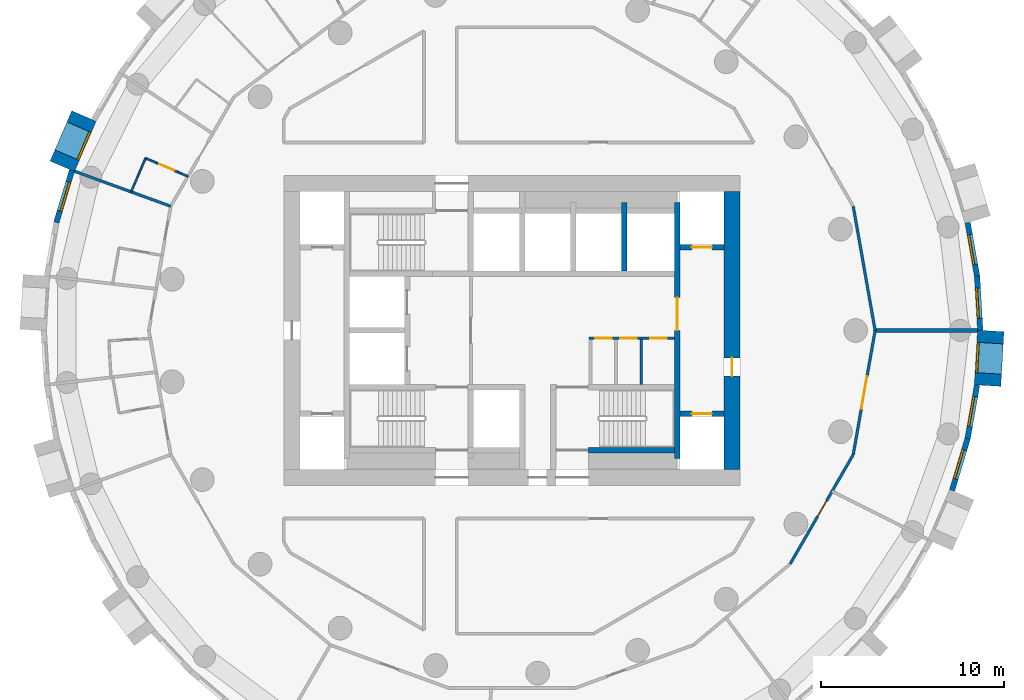
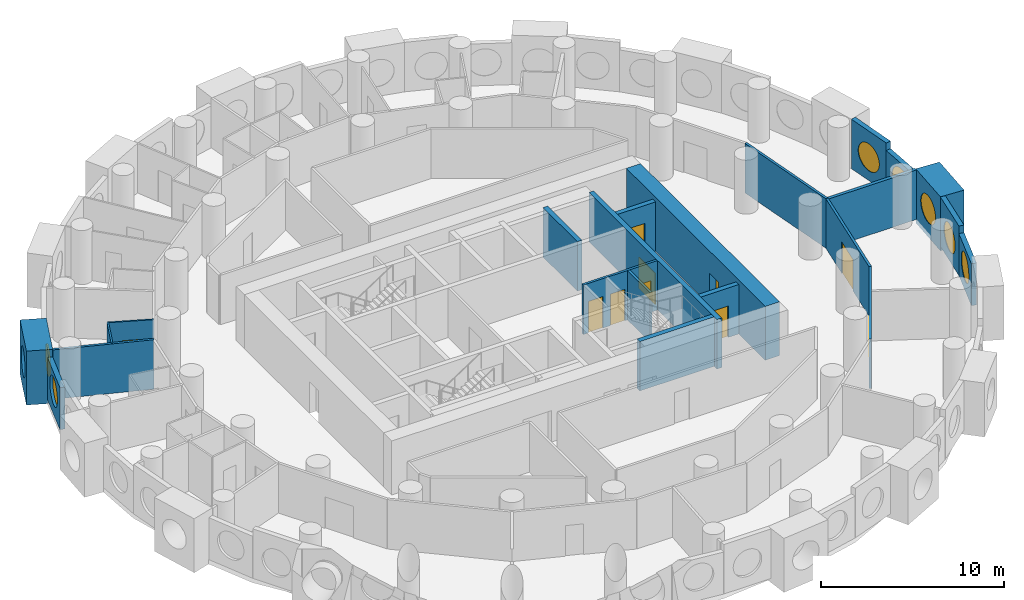
# One storey, part 5 of 10: 22 walls, 10 doors, 7 windows, 17 openings.
"""IFC4 building model written with IfcOpenShell, lengths in metres."""

from ifc_helpers import new_model, si_unit, direction, frame, frame_2d, origin, origin_2d, place, context, subcontext, project, spatial, rectangle, circle, extrude, material, layer, layer_set, type_object, element, fill, save


model = new_model("IFC4")

# Units and contexts
model_context = context("Model", 3, precision=1e-05, world=origin(), true_north=direction((0.0, 1.0)))
body_context = subcontext(model_context, "Body", "Model", "MODEL_VIEW")
ifc_project = project(units=[si_unit("LENGTHUNIT", "METRE"), si_unit("AREAUNIT", "SQUARE_METRE"), si_unit("VOLUMEUNIT", "CUBIC_METRE"), si_unit("PLANEANGLEUNIT", "RADIAN"), si_unit("MASSUNIT", "GRAM", prefix="KILO")], contexts=[model_context])

# Site, building, storey
site_placement = place(None, origin())
site = spatial("IfcSite", under=ifc_project, at=site_placement, CompositionType="ELEMENT")
building_placement = place(site_placement, origin())
building = spatial("IfcBuilding", under=site, at=building_placement, Name="Tracery Tower", CompositionType="ELEMENT")
storey_placement = place(building_placement, frame((0.0, 0.0, 136.800048828125)))
storey = spatial("IfcBuildingStorey", under=building, at=storey_placement, Name="L34", CompositionType="ELEMENT", Elevation=136.800048828125)

# Wall, openings, doors
ifc_material_1 = material(Name="Plasterboard on steel studs", Category="steel")
ifc_layer_1 = layer(ifc_material_1, 0.14990234375)
ifc_layer_set_1 = layer_set([ifc_layer_1], Name="Core room partition 150")
wall_type_1 = type_object("IfcWallType", Name="Core room partition 150", PredefinedType="SOLIDWALL", material=ifc_layer_set_1)
wall_1_placement = place(storey_placement, frame((4.22509765625, -0.425048828125, 0.0), z_axis=(0.0, 0.0, 1.0), x_axis=(1.0, 0.0, 0.0)))
wall_1 = element("IfcWall", 1, at=wall_1_placement, inside=storey, type_object=wall_type_1, Name="L34 slot N", PredefinedType="SOLIDWALL", context=body_context, shape_type="SweptSolid", body=[
    extrude(rectangle(XDim=4.6748046875, YDim=0.14990234375, at=frame_2d((2.33740234375, 0.0))), origin(), (0.0, 0.0, 1.0), 3.300048828125),
])
opening_1_placement = place(wall_1_placement, frame((0.324951171875, 0.0, 0.0)))
opening_1 = element("IfcOpeningElement", 2, at=opening_1_placement, cuts=wall_1, Name="Opening KD27", PredefinedType="OPENING", context=body_context, shape_type="SweptSolid", body=[
    extrude(rectangle(XDim=0.89990234375, YDim=2.10009765625, at=frame_2d((0.449951171875, 1.050048828125))), frame((0.0, 0.074951171875, 0.0), z_axis=(0.0, -1.0, 0.0), x_axis=(1.0, 0.0, 0.0)), (0.0, 0.0, 1.0), 0.14990234375),
])
opening_2_placement = place(wall_1_placement, frame((1.71240234375, 0.0, 0.0)))
opening_2 = element("IfcOpeningElement", 3, at=opening_2_placement, cuts=wall_1, Name="Opening KD26", PredefinedType="OPENING", context=body_context, shape_type="SweptSolid", body=[
    extrude(rectangle(XDim=0.89990234375, YDim=2.10009765625, at=frame_2d((0.449951171875, 1.050048828125))), frame((0.0, 0.074951171875, 0.0), z_axis=(0.0, -1.0, 0.0), x_axis=(1.0, 0.0, 0.0)), (0.0, 0.0, 1.0), 0.14990234375),
])
opening_3_placement = place(wall_1_placement, frame((3.35009765625, 0.0, 0.0)))
opening_3 = element("IfcOpeningElement", 4, at=opening_3_placement, cuts=wall_1, Name="Opening KD22", PredefinedType="OPENING", context=body_context, shape_type="SweptSolid", body=[
    extrude(rectangle(XDim=0.89990234375, YDim=2.10009765625, at=frame_2d((0.449951171875, 1.050048828125))), frame((0.0, 0.074951171875, 0.0), z_axis=(0.0, -1.0, 0.0), x_axis=(1.0, 0.0, 0.0)), (0.0, 0.0, 1.0), 0.14990234375),
])
ifc_material_2 = material(Name="Timber door leaf", Category="wood")
door_type_1 = type_object("IfcDoorType", Name="Core WC door 900", OperationType="NOTDEFINED", PredefinedType="DOOR", material=ifc_material_2)
door_1_placement = place(opening_3_placement, origin())
door_1 = element("IfcDoor", 5, at=door_1_placement, inside=storey, type_object=door_type_1, Name="Core door", OperationType="SINGLE_SWING_RIGHT", OverallHeight=2.10009765625, OverallWidth=0.89990234375, PredefinedType="DOOR", context=body_context, shape_type="SweptSolid", body=[
    extrude(rectangle(XDim=0.89990234375, YDim=2.10009765625, at=frame_2d((0.449951171875, 1.050048828125))), frame((0.0, 0.02490234375, 0.0), z_axis=(0.0, -1.0, 0.0), x_axis=(1.0, 0.0, 0.0)), (0.0, 0.0, 1.0), 0.050048828125),
])
fill(opening_3, door_1)
ifc_material_3 = material(Name="Timber door leaf", Category="wood")
door_type_2 = type_object("IfcDoorType", Name="Core store door 900", OperationType="NOTDEFINED", PredefinedType="DOOR", material=ifc_material_3)
door_2_placement = place(opening_1_placement, origin())
door_2 = element("IfcDoor", 6, at=door_2_placement, inside=storey, type_object=door_type_2, Name="Core door", OperationType="SINGLE_SWING_RIGHT", OverallHeight=2.10009765625, OverallWidth=0.89990234375, PredefinedType="DOOR", context=body_context, shape_type="SweptSolid", body=[
    extrude(rectangle(XDim=0.89990234375, YDim=2.10009765625, at=frame_2d((0.449951171875, 1.050048828125))), frame((0.0, 0.02490234375, 0.0), z_axis=(0.0, -1.0, 0.0), x_axis=(1.0, 0.0, 0.0)), (0.0, 0.0, 1.0), 0.050048828125),
])
fill(opening_1, door_2)
door_3_placement = place(opening_2_placement, origin())
door_3 = element("IfcDoor", 7, at=door_3_placement, inside=storey, type_object=door_type_2, Name="Core door", OperationType="SINGLE_SWING_LEFT", OverallHeight=2.10009765625, OverallWidth=0.89990234375, PredefinedType="DOOR", context=body_context, shape_type="SweptSolid", body=[
    extrude(rectangle(XDim=0.89990234375, YDim=2.10009765625, at=frame_2d((0.449951171875, 1.050048828125))), frame((0.0, 0.02490234375, 0.0), z_axis=(0.0, -1.0, 0.0), x_axis=(1.0, 0.0, 0.0)), (0.0, 0.0, 1.0), 0.050048828125),
])
fill(opening_2, door_3)

# Wall
wall_2_placement = place(storey_placement, frame((7.074951171875, -2.949951171875, 0.0), z_axis=(0.0, 0.0, 1.0), x_axis=(0.0, 1.0, 0.0)))
element("IfcWall", 8, at=wall_2_placement, inside=storey, type_object=wall_type_1, Name="L34 slot sep 2", PredefinedType="SOLIDWALL", context=body_context, shape_type="SweptSolid", body=[
    extrude(rectangle(XDim=2.449951171875, YDim=0.14990234375, at=frame_2d((1.22509765625, 0.0))), origin(), (0.0, 0.0, 1.0), 3.300048828125),
])

# Wall, opening, door
ifc_material_4 = material(Name="Concrete C50/60", Category="concrete")
ifc_layer_2 = layer(ifc_material_4, 0.89990234375)
ifc_layer_set_2 = layer_set([ifc_layer_2], Name="Core wall 900 C50")
wall_type_2 = type_object("IfcWallType", Name="Core wall 900 C50", PredefinedType="SOLIDWALL", material=ifc_layer_set_2)
wall_3_placement = place(storey_placement, frame((12.050048828125, -7.60009765625, 0.0), z_axis=(0.0, 0.0, 1.0), x_axis=(0.0, 1.0, 0.0)))
wall_3 = element("IfcWall", 9, at=wall_3_placement, inside=storey, type_object=wall_type_2, Name="L34 outer E", PredefinedType="SOLIDWALL", context=body_context, shape_type="SweptSolid", body=[
    extrude(rectangle(XDim=15.2001953125, YDim=0.89990234375, at=frame_2d((7.60009765625, 0.0))), origin(), (0.0, 0.0, 1.0), 3.599853515625),
])
opening_4_placement = place(wall_3_placement, frame((5.10009765625, 0.0, 0.0)))
opening_4 = element("IfcOpeningElement", 10, at=opening_4_placement, cuts=wall_3, Name="Opening KD18", PredefinedType="OPENING", context=body_context, shape_type="SweptSolid", body=[
    extrude(rectangle(XDim=1.0, YDim=2.10009765625, at=frame_2d((0.5, 1.050048828125))), frame((0.0, 0.449951171875, 0.0), z_axis=(0.0, -1.0, 0.0), x_axis=(1.0, 0.0, 0.0)), (0.0, 0.0, 1.0), 0.89990234375),
])
ifc_material_5 = material(Name="Steel fire door", Category="steel")
door_type_3 = type_object("IfcDoorType", Name="Core exit door 1000", OperationType="NOTDEFINED", PredefinedType="DOOR", material=ifc_material_5)
door_4_placement = place(opening_4_placement, origin())
door_4 = element("IfcDoor", 11, at=door_4_placement, inside=storey, type_object=door_type_3, Name="Core exit door", OperationType="DOUBLE_DOOR_SINGLE_SWING", OverallHeight=2.10009765625, OverallWidth=1.0, PredefinedType="DOOR", context=body_context, shape_type="SweptSolid", body=[
    extrude(rectangle(XDim=1.0, YDim=2.10009765625, at=frame_2d((0.5, 1.050048828125))), frame((0.0, 0.02490234375, 0.0), z_axis=(0.0, -1.0, 0.0), x_axis=(1.0, 0.0, 0.0)), (0.0, 0.0, 1.0), 0.050048828125),
])
fill(opening_4, door_4)

# Wall, opening, window
ifc_material_6 = material(Name="Precast concrete C50/60", Category="concrete")
ifc_layer_3 = layer(ifc_material_6, 1.449951171875)
ifc_layer_set_3 = layer_set([ifc_layer_3], Name="Deep-set bay unit 3000 x 3600, slab edge 300")
wall_type_3 = type_object("IfcWallType", Name="Deep-set bay unit 3000 x 3600, slab edge 300", PredefinedType="ELEMENTEDWALL", material=ifc_layer_set_3)
wall_4_placement = place(storey_placement, frame((-23.44384765625, 11.746337890625, -0.300048828125), z_axis=(0.0, 0.0, 1.0), x_axis=(-0.396079003245, -0.918216435917, 0.0)))
wall_4 = element("IfcWall", 12, at=wall_4_placement, inside=storey, type_object=wall_type_3, Name="Deep-set bay unit 24 at L34", PredefinedType="ELEMENTEDWALL", context=body_context, shape_type="SweptSolid", body=[
    extrude(rectangle(XDim=3.0, YDim=1.449951171875, at=frame_2d((1.5, 0.0))), origin(), (0.0, 0.0, 1.0), 3.60009765625),
])
opening_5_placement = place(wall_4_placement, frame((1.5, 0.0, 1.85009765625)))
opening_5 = element("IfcOpeningElement", 13, at=opening_5_placement, cuts=wall_4, Name="Opening WN1", PredefinedType="OPENING", context=body_context, shape_type="SweptSolid", body=[
    extrude(circle(Radius=0.9000244140625, at=origin_2d()), frame((0.0, 0.73486328125, 0.0), z_axis=(0.0, -1.0, 0.0), x_axis=(1.0, 0.0, 0.0)), (0.0, 0.0, 1.0), 1.469970703125),
])
ifc_material_7 = material(Name="Aluminium frame with tinted double glazing", Category="aluminium")
window_type = type_object("IfcWindowType", Name="Round window 1800", PartitioningType="SINGLE_PANEL", PredefinedType="WINDOW", material=ifc_material_7)
window_1_placement = place(opening_5_placement, origin())
window_1 = element("IfcWindow", 14, at=window_1_placement, inside=storey, type_object=window_type, Name="Round window 24 at L34", OverallHeight=1.800048828125, OverallWidth=1.800048828125, PartitioningType="SINGLE_PANEL", PredefinedType="WINDOW", context=body_context, shape_type="SweptSolid", body=[
    extrude(circle(Radius=0.9000244140625, at=origin_2d()), frame((0.0, 0.69482421875, 0.0), z_axis=(0.0, -1.0, 0.0), x_axis=(1.0, 0.0, 0.0)), (0.0, 0.0, 1.0), 0.10009765625),
])
fill(opening_5, window_1)

wall_5_placement = place(storey_placement, frame((26.047607421875, -3.01953125, -0.300048828125), z_axis=(0.0, 0.0, 1.0), x_axis=(0.058106596105, 0.998310384344, 0.0)))
wall_5 = element("IfcWall", 15, at=wall_5_placement, inside=storey, type_object=wall_type_3, Name="Deep-set bay unit 54 at L34", PredefinedType="ELEMENTEDWALL", context=body_context, shape_type="SweptSolid", body=[
    extrude(rectangle(XDim=3.0, YDim=1.449951171875, at=frame_2d((1.5, 0.0))), origin(), (0.0, 0.0, 1.0), 3.60009765625),
])
opening_6_placement = place(wall_5_placement, frame((1.5, 0.0, 1.85009765625)))
opening_6 = element("IfcOpeningElement", 16, at=opening_6_placement, cuts=wall_5, Name="Opening WN1", PredefinedType="OPENING", context=body_context, shape_type="SweptSolid", body=[
    extrude(circle(Radius=0.9000244140625, at=origin_2d()), frame((0.0, 0.73486328125, 0.0), z_axis=(0.0, -1.0, 0.0), x_axis=(1.0, 0.0, 0.0)), (0.0, 0.0, 1.0), 1.469970703125),
])
window_2_placement = place(opening_6_placement, origin())
window_2 = element("IfcWindow", 17, at=window_2_placement, inside=storey, type_object=window_type, Name="Round window 54 at L34", OverallHeight=1.800048828125, OverallWidth=1.800048828125, PartitioningType="SINGLE_PANEL", PredefinedType="WINDOW", context=body_context, shape_type="SweptSolid", body=[
    extrude(circle(Radius=0.9000244140625, at=origin_2d()), frame((0.0, 0.69482421875, 0.0), z_axis=(0.0, -1.0, 0.0), x_axis=(1.0, 0.0, 0.0)), (0.0, 0.0, 1.0), 0.10009765625),
])
fill(opening_6, window_2)

ifc_material_8 = material(Name="Precast concrete C50/60", Category="concrete")
ifc_layer_4 = layer(ifc_material_8, 0.300048828125)
ifc_layer_set_4 = layer_set([ifc_layer_4], Name="Facade panel 3000 x 2800")
wall_type_4 = type_object("IfcWallType", Name="Facade panel 3000 x 2800", PredefinedType="SOLIDWALL", material=ifc_layer_set_4)
wall_6_placement = place(storey_placement, frame((25.64697265625, 0.009521484375, 0.0), z_axis=(0.0, 0.0, 1.0), x_axis=(-0.058139540521, 0.998308466271, 0.0)))
wall_6 = element("IfcWall", 18, at=wall_6_placement, inside=storey, type_object=wall_type_4, Name="Facade panel 1 at L34", PredefinedType="SOLIDWALL", context=body_context, shape_type="SweptSolid", body=[
    extrude(rectangle(XDim=2.97314453125, YDim=0.300048828125, at=frame_2d((1.486572265625, 0.0))), origin(), (0.0, 0.0, 1.0), 2.800048828125),
])
opening_7_placement = place(wall_6_placement, frame((1.486328125, 0.0, 1.5498046875)))
opening_7 = element("IfcOpeningElement", 19, at=opening_7_placement, cuts=wall_6, Name="Opening WN1", PredefinedType="OPENING", context=body_context, shape_type="SweptSolid", body=[
    extrude(circle(Radius=0.9000244140625, at=origin_2d()), frame((0.0, 0.159912109375, 0.0), z_axis=(0.0, -1.0, 0.0), x_axis=(1.0, 0.0, 0.0)), (0.0, 0.0, 1.0), 0.320068359375),
])
window_3_placement = place(opening_7_placement, origin())
window_3 = element("IfcWindow", 20, at=window_3_placement, inside=storey, type_object=window_type, Name="Round window 1 at L34", OverallHeight=1.800048828125, OverallWidth=1.800048828125, PartitioningType="SINGLE_PANEL", PredefinedType="WINDOW", context=body_context, shape_type="SweptSolid", body=[
    extrude(circle(Radius=0.9000244140625, at=origin_2d()), frame((0.0, 0.1201171875, 0.0), z_axis=(0.0, -1.0, 0.0), x_axis=(1.0, 0.0, 0.0)), (0.0, 0.0, 1.0), 0.10009765625),
])
fill(opening_7, window_3)

wall_7_placement = place(storey_placement, frame((-24.103515625, 8.7626953125, 0.0), z_axis=(0.0, 0.0, 1.0), x_axis=(-0.286782750849, -0.957995643944, 0.0)))
wall_7 = element("IfcWall", 21, at=wall_7_placement, inside=storey, type_object=wall_type_4, Name="Facade panel 25 at L34", PredefinedType="SOLIDWALL", context=body_context, shape_type="SweptSolid", body=[
    extrude(rectangle(XDim=2.97265625, YDim=0.300048828125, at=frame_2d((1.486328125, 0.0))), origin(), (0.0, 0.0, 1.0), 2.800048828125),
])
opening_8_placement = place(wall_7_placement, frame((1.486328125, 0.0, 1.5498046875)))
opening_8 = element("IfcOpeningElement", 22, at=opening_8_placement, cuts=wall_7, Name="Opening WN1", PredefinedType="OPENING", context=body_context, shape_type="SweptSolid", body=[
    extrude(circle(Radius=0.9000244140625, at=origin_2d()), frame((0.0, 0.159912109375, 0.0), z_axis=(0.0, -1.0, 0.0), x_axis=(1.0, 0.0, 0.0)), (0.0, 0.0, 1.0), 0.320068359375),
])
window_4_placement = place(opening_8_placement, origin())
window_4 = element("IfcWindow", 23, at=window_4_placement, inside=storey, type_object=window_type, Name="Round window 25 at L34", OverallHeight=1.800048828125, OverallWidth=1.800048828125, PartitioningType="SINGLE_PANEL", PredefinedType="WINDOW", context=body_context, shape_type="SweptSolid", body=[
    extrude(circle(Radius=0.9000244140625, at=origin_2d()), frame((0.0, 0.1201171875, 0.0), z_axis=(0.0, -1.0, 0.0), x_axis=(1.0, 0.0, 0.0)), (0.0, 0.0, 1.0), 0.10009765625),
])
fill(opening_8, window_4)

wall_8_placement = place(storey_placement, frame((24.103515625, -8.7626953125, 0.0), z_axis=(0.0, 0.0, 1.0), x_axis=(0.286782750849, 0.957995643944, 0.0)))
wall_8 = element("IfcWall", 24, at=wall_8_placement, inside=storey, type_object=wall_type_4, Name="Facade panel 52 at L34", PredefinedType="SOLIDWALL", context=body_context, shape_type="SweptSolid", body=[
    extrude(rectangle(XDim=2.97265625, YDim=0.300048828125, at=frame_2d((1.486328125, 0.0))), origin(), (0.0, 0.0, 1.0), 2.800048828125),
])
opening_9_placement = place(wall_8_placement, frame((1.486328125, 0.0, 1.5498046875)))
opening_9 = element("IfcOpeningElement", 25, at=opening_9_placement, cuts=wall_8, Name="Opening WN1", PredefinedType="OPENING", context=body_context, shape_type="SweptSolid", body=[
    extrude(circle(Radius=0.9000244140625, at=origin_2d()), frame((0.0, 0.159912109375, 0.0), z_axis=(0.0, -1.0, 0.0), x_axis=(1.0, 0.0, 0.0)), (0.0, 0.0, 1.0), 0.320068359375),
])
window_5_placement = place(opening_9_placement, origin())
window_5 = element("IfcWindow", 26, at=window_5_placement, inside=storey, type_object=window_type, Name="Round window 52 at L34", OverallHeight=1.800048828125, OverallWidth=1.800048828125, PartitioningType="SINGLE_PANEL", PredefinedType="WINDOW", context=body_context, shape_type="SweptSolid", body=[
    extrude(circle(Radius=0.9000244140625, at=origin_2d()), frame((0.0, 0.1201171875, 0.0), z_axis=(0.0, -1.0, 0.0), x_axis=(1.0, 0.0, 0.0)), (0.0, 0.0, 1.0), 0.10009765625),
])
fill(opening_9, window_5)

ifc_material_9 = material(Name="Precast concrete C50/60", Category="concrete")
ifc_layer_5 = layer(ifc_material_9, 0.300048828125)
ifc_layer_set_5 = layer_set([ifc_layer_5], Name="Facade panel 3000 x 3300")
wall_type_5 = type_object("IfcWallType", Name="Facade panel 3000 x 3300", PredefinedType="SOLIDWALL", material=ifc_layer_set_5)
wall_9_placement = place(storey_placement, frame((25.47412109375, 2.9775390625, 0.0), z_axis=(0.0, 0.0, 1.0), x_axis=(-0.173686952598, 0.984800915159, 0.0)))
wall_9 = element("IfcWall", 27, at=wall_9_placement, inside=storey, type_object=wall_type_5, Name="Facade panel 2 at L34", PredefinedType="SOLIDWALL", context=body_context, shape_type="SweptSolid", body=[
    extrude(rectangle(XDim=2.972900390625, YDim=0.300048828125, at=frame_2d((1.486328125, 0.0))), origin(), (0.0, 0.0, 1.0), 3.300048828125),
])
opening_10_placement = place(wall_9_placement, frame((1.486328125, 0.0, 1.5498046875)))
opening_10 = element("IfcOpeningElement", 28, at=opening_10_placement, cuts=wall_9, Name="Opening WN1", PredefinedType="OPENING", context=body_context, shape_type="SweptSolid", body=[
    extrude(circle(Radius=0.9000244140625, at=origin_2d()), frame((0.0, 0.159912109375, 0.0), z_axis=(0.0, -1.0, 0.0), x_axis=(1.0, 0.0, 0.0)), (0.0, 0.0, 1.0), 0.320068359375),
])
window_6_placement = place(opening_10_placement, origin())
window_6 = element("IfcWindow", 29, at=window_6_placement, inside=storey, type_object=window_type, Name="Round window 2 at L34", OverallHeight=1.800048828125, OverallWidth=1.800048828125, PartitioningType="SINGLE_PANEL", PredefinedType="WINDOW", context=body_context, shape_type="SweptSolid", body=[
    extrude(circle(Radius=0.9000244140625, at=origin_2d()), frame((0.0, 0.1201171875, 0.0), z_axis=(0.0, -1.0, 0.0), x_axis=(1.0, 0.0, 0.0)), (0.0, 0.0, 1.0), 0.10009765625),
])
fill(opening_10, window_6)

wall_10_placement = place(storey_placement, frame((24.9560546875, -5.914794921875, 0.0), z_axis=(0.0, 0.0, 1.0), x_axis=(0.173686952598, 0.984800915159, 0.0)))
wall_10 = element("IfcWall", 30, at=wall_10_placement, inside=storey, type_object=wall_type_5, Name="Facade panel 53 at L34", PredefinedType="SOLIDWALL", context=body_context, shape_type="SweptSolid", body=[
    extrude(rectangle(XDim=2.972900390625, YDim=0.300048828125, at=frame_2d((1.486328125, 0.0))), origin(), (0.0, 0.0, 1.0), 3.300048828125),
])
opening_11_placement = place(wall_10_placement, frame((1.486328125, 0.0, 1.5498046875)))
opening_11 = element("IfcOpeningElement", 31, at=opening_11_placement, cuts=wall_10, Name="Opening WN1", PredefinedType="OPENING", context=body_context, shape_type="SweptSolid", body=[
    extrude(circle(Radius=0.9000244140625, at=origin_2d()), frame((0.0, 0.159912109375, 0.0), z_axis=(0.0, -1.0, 0.0), x_axis=(1.0, 0.0, 0.0)), (0.0, 0.0, 1.0), 0.320068359375),
])
window_7_placement = place(opening_11_placement, origin())
window_7 = element("IfcWindow", 32, at=window_7_placement, inside=storey, type_object=window_type, Name="Round window 53 at L34", OverallHeight=1.800048828125, OverallWidth=1.800048828125, PartitioningType="SINGLE_PANEL", PredefinedType="WINDOW", context=body_context, shape_type="SweptSolid", body=[
    extrude(circle(Radius=0.9000244140625, at=origin_2d()), frame((0.0, 0.1201171875, 0.0), z_axis=(0.0, -1.0, 0.0), x_axis=(1.0, 0.0, 0.0)), (0.0, 0.0, 1.0), 0.10009765625),
])
fill(opening_11, window_7)

# Wall, opening, door
ifc_material_10 = material(Name="Plasterboard on steel studs", Category="steel")
ifc_layer_6 = layer(ifc_material_10, 0.10009765625)
ifc_layer_set_6 = layer_set([ifc_layer_6], Name="Partition 100 wet wall")
wall_type_6 = type_object("IfcWallType", Name="Partition 100 wet wall", PredefinedType="PARTITIONING", material=ifc_layer_set_6)
wall_11_placement = place(storey_placement, frame((-20.06689453125, 9.43701171875, 0.0), z_axis=(0.0, 0.0, 1.0), x_axis=(0.918293825202, -0.395899546091, 0.0)))
wall_11 = element("IfcWall", 33, at=wall_11_placement, inside=storey, type_object=wall_type_6, Name="Wet wall RB2-064", PredefinedType="PARTITIONING", context=body_context, shape_type="SweptSolid", body=[
    extrude(rectangle(XDim=2.5283203125, YDim=0.10009765625, at=frame_2d((1.26416015625, 0.0))), origin(), (0.0, 0.0, 1.0), 3.300048828125),
])
opening_12_placement = place(wall_11_placement, frame((0.814697265625, 0.0, 0.0)))
opening_12 = element("IfcOpeningElement", 34, at=opening_12_placement, cuts=wall_11, Name="Opening RB2-20", PredefinedType="OPENING", context=body_context, shape_type="SweptSolid", body=[
    extrude(rectangle(XDim=0.89990234375, YDim=2.0400390625, at=frame_2d((0.449951171875, 1.02001953125))), frame((0.0, 0.050048828125, 0.0), z_axis=(0.0, -1.0, 0.0), x_axis=(1.0, 0.0, 0.0)), (0.0, 0.0, 1.0), 0.10009765625),
])
ifc_material_11 = material(Name="Timber door leaf", Category="wood")
door_type_4 = type_object("IfcDoorType", Name="Door en-suite 900", OperationType="NOTDEFINED", PredefinedType="DOOR", material=ifc_material_11)
door_5_placement = place(opening_12_placement, origin())
door_5 = element("IfcDoor", 35, at=door_5_placement, inside=storey, type_object=door_type_4, Name="En-suite door RB2-20", OperationType="SINGLE_SWING_LEFT", OverallHeight=2.0400390625, OverallWidth=0.89990234375, PredefinedType="DOOR", context=body_context, shape_type="SweptSolid", body=[
    extrude(rectangle(XDim=0.89990234375, YDim=2.0400390625, at=frame_2d((0.449951171875, 1.02001953125))), frame((0.0, 0.02490234375, 0.0), z_axis=(0.0, -1.0, 0.0), x_axis=(1.0, 0.0, 0.0)), (0.0, 0.0, 1.0), 0.050048828125),
])
fill(opening_12, door_5)

# Walls
wall_12_placement = place(storey_placement, frame((-20.862060546875, 7.593017578125, 0.0), z_axis=(0.0, 0.0, 1.0), x_axis=(0.395972527348, 0.918262357709, 0.0)))
element("IfcWall", 36, at=wall_12_placement, inside=storey, type_object=wall_type_6, Name="Wet wall RB2-065", PredefinedType="PARTITIONING", context=body_context, shape_type="SweptSolid", body=[
    extrude(rectangle(XDim=2.008056640625, YDim=0.10009765625, at=frame_2d((1.00390625, 0.0))), origin(), (0.0, 0.0, 1.0), 3.300048828125),
])
ifc_material_12 = material(Name="Plasterboard on steel studs", Category="steel")
ifc_layer_7 = layer(ifc_material_12, 0.14990234375)
ifc_layer_set_7 = layer_set([ifc_layer_7], Name="Partition 150 acoustic unit wall")
wall_type_7 = type_object("IfcWallType", Name="Partition 150 acoustic unit wall", PredefinedType="PARTITIONING", material=ifc_layer_set_7)
wall_13_placement = place(storey_placement, frame((-23.9599609375, 8.720947265625, 0.0), z_axis=(0.0, 0.0, 1.0), x_axis=(0.939653583607, -0.342127378054, 0.0)))
element("IfcWall", 37, at=wall_13_placement, inside=storey, type_object=wall_type_7, Name="Unit wall RB2-066", PredefinedType="PARTITIONING", context=body_context, shape_type="SweptSolid", body=[
    extrude(rectangle(XDim=5.6103515625, YDim=0.14990234375, at=frame_2d((2.80517578125, 0.0))), origin(), (0.0, 0.0, 1.0), 3.300048828125),
])
ifc_material_13 = material(Name="Plasterboard on steel studs", Category="steel")
ifc_layer_8 = layer(ifc_material_13, 0.14990234375)
ifc_layer_set_8 = layer_set([ifc_layer_8], Name="Partition 150 corridor wall")
wall_type_8 = type_object("IfcWallType", Name="Partition 150 corridor wall", PredefinedType="PARTITIONING", material=ifc_layer_set_8)
wall_14_placement = place(storey_placement, frame((18.68798828125, 6.802001953125, 0.0), z_axis=(0.0, 0.0, 1.0), x_axis=(0.173728873845, -0.98479352069, 0.0)))
element("IfcWall", 38, at=wall_14_placement, inside=storey, type_object=wall_type_8, Name="Corridor wall RB2-009", PredefinedType="PARTITIONING", context=body_context, shape_type="SweptSolid", body=[
    extrude(rectangle(XDim=6.906982421875, YDim=0.14990234375, at=frame_2d((3.45361328125, 0.0))), origin(), (0.0, 0.0, 1.0), 3.300048828125),
])

# Wall, opening, door
wall_15_placement = place(storey_placement, frame((15.235107421875, -12.783935546875, 0.0), z_axis=(0.0, 0.0, 1.0), x_axis=(0.499914202267, 0.866074933462, 0.0)))
wall_15 = element("IfcWall", 39, at=wall_15_placement, inside=storey, type_object=wall_type_8, Name="Corridor wall RB2-010", PredefinedType="PARTITIONING", context=body_context, shape_type="SweptSolid", body=[
    extrude(rectangle(XDim=6.906982421875, YDim=0.14990234375, at=frame_2d((3.45361328125, 0.0))), origin(), (0.0, 0.0, 1.0), 3.300048828125),
])
opening_13_placement = place(wall_15_placement, frame((3.0, 0.0, 0.0)))
opening_13 = element("IfcOpeningElement", 40, at=opening_13_placement, cuts=wall_15, Name="Opening RB2-31", PredefinedType="OPENING", context=body_context, shape_type="SweptSolid", body=[
    extrude(rectangle(XDim=1.0, YDim=2.0400390625, at=frame_2d((0.5, 1.02001953125))), frame((0.0, 0.074951171875, 0.0), z_axis=(0.0, -1.0, 0.0), x_axis=(1.0, 0.0, 0.0)), (0.0, 0.0, 1.0), 0.14990234375),
])
ifc_material_14 = material(Name="Timber door leaf", Category="wood")
door_type_5 = type_object("IfcDoorType", Name="Door communal room 1000", OperationType="NOTDEFINED", PredefinedType="DOOR", material=ifc_material_14)
door_6_placement = place(opening_13_placement, origin())
door_6 = element("IfcDoor", 41, at=door_6_placement, inside=storey, type_object=door_type_5, Name="Communal room door RB2-31", OperationType="SINGLE_SWING_LEFT", OverallHeight=2.0400390625, OverallWidth=1.0, PredefinedType="DOOR", context=body_context, shape_type="SweptSolid", body=[
    extrude(rectangle(XDim=1.0, YDim=2.0400390625, at=frame_2d((0.5, 1.02001953125))), frame((0.0, 0.02490234375, 0.0), z_axis=(0.0, -1.0, 0.0), x_axis=(1.0, 0.0, 0.0)), (0.0, 0.0, 1.0), 0.050048828125),
])
fill(opening_13, door_6)

wall_16_placement = place(storey_placement, frame((18.68798828125, -6.802001953125, 0.0), z_axis=(0.0, 0.0, 1.0), x_axis=(0.173728873845, 0.98479352069, 0.0)))
wall_16 = element("IfcWall", 42, at=wall_16_placement, inside=storey, type_object=wall_type_8, Name="Corridor wall RB2-012", PredefinedType="PARTITIONING", context=body_context, shape_type="SweptSolid", body=[
    extrude(rectangle(XDim=6.906982421875, YDim=0.14990234375, at=frame_2d((3.45361328125, 0.0))), origin(), (0.0, 0.0, 1.0), 3.300048828125),
])
opening_14_placement = place(wall_16_placement, frame((2.552978515625, 0.0, 0.0)))
opening_14 = element("IfcOpeningElement", 43, at=opening_14_placement, cuts=wall_16, Name="Opening RB2-32", PredefinedType="OPENING", context=body_context, shape_type="SweptSolid", body=[
    extrude(rectangle(XDim=1.800048828125, YDim=2.10009765625, at=frame_2d((0.89990234375, 1.050048828125))), frame((0.0, 0.074951171875, 0.0), z_axis=(0.0, -1.0, 0.0), x_axis=(1.0, 0.0, 0.0)), (0.0, 0.0, 1.0), 0.14990234375),
])
ifc_material_15 = material(Name="Timber door leaf", Category="wood")
door_type_6 = type_object("IfcDoorType", Name="Door double lounge 1800", OperationType="NOTDEFINED", PredefinedType="DOOR", material=ifc_material_15)
door_7_placement = place(opening_14_placement, origin())
door_7 = element("IfcDoor", 44, at=door_7_placement, inside=storey, type_object=door_type_6, Name="Double lounge door RB2-32", OperationType="DOUBLE_DOOR_SINGLE_SWING", OverallHeight=2.10009765625, OverallWidth=1.800048828125, PredefinedType="DOOR", context=body_context, shape_type="SweptSolid", body=[
    extrude(rectangle(XDim=1.800048828125, YDim=2.10009765625, at=frame_2d((0.89990234375, 1.050048828125))), frame((0.0, 0.02490234375, 0.0), z_axis=(0.0, -1.0, 0.0), x_axis=(1.0, 0.0, 0.0)), (0.0, 0.0, 1.0), 0.050048828125),
])
fill(opening_14, door_7)

# Walls
ifc_material_16 = material(Name="Plasterboard on steel studs", Category="steel")
ifc_layer_9 = layer(ifc_material_16, 0.199951171875)
ifc_layer_set_9 = layer_set([ifc_layer_9], Name="Partition 200 compartment wall")
wall_type_9 = type_object("IfcWallType", Name="Partition 200 compartment wall", PredefinedType="PARTITIONING", material=ifc_layer_set_9)
wall_17_placement = place(storey_placement, frame((19.887939453125, 0.0, 0.0), z_axis=(0.0, 0.0, 1.0), x_axis=(1.0, 0.0, 0.0)))
element("IfcWall", 45, at=wall_17_placement, inside=storey, type_object=wall_type_9, Name="Compartment wall RB2-041", PredefinedType="PARTITIONING", context=body_context, shape_type="SweptSolid", body=[
    extrude(rectangle(XDim=5.609130859375, YDim=0.199951171875, at=frame_2d((2.8046875, 0.0))), origin(), (0.0, 0.0, 1.0), 3.300048828125),
])
ifc_material_17 = material(Name="Concrete C50/60", Category="concrete")
ifc_layer_10 = layer(ifc_material_17, 0.300048828125)
ifc_layer_set_10 = layer_set([ifc_layer_10], Name="Shaft wall 300 C50")
wall_type_10 = type_object("IfcWallType", Name="Shaft wall 300 C50", PredefinedType="SOLIDWALL", material=ifc_layer_set_10)
wall_18_placement = place(storey_placement, frame((6.14990234375, 3.25, 0.0), z_axis=(0.0, 0.0, 1.0), x_axis=(0.0, 1.0, 0.0)))
element("IfcWall", 46, at=wall_18_placement, inside=storey, type_object=wall_type_10, Name="L34 HR sep 3", PredefinedType="SOLIDWALL", context=body_context, shape_type="SweptSolid", body=[
    extrude(rectangle(XDim=3.75, YDim=0.300048828125, at=frame_2d((1.875, 0.0))), origin(), (0.0, 0.0, 1.0), 3.300048828125),
])

# Wall, opening, door
wall_19_placement = place(storey_placement, frame((9.199951171875, -4.550048828125, 0.0), z_axis=(0.0, 0.0, 1.0), x_axis=(1.0, 0.0, 0.0)))
wall_19 = element("IfcWall", 47, at=wall_19_placement, inside=storey, type_object=wall_type_10, Name="L34 MR E -4.55", PredefinedType="SOLIDWALL", context=body_context, shape_type="SweptSolid", body=[
    extrude(rectangle(XDim=2.400146484375, YDim=0.300048828125, at=frame_2d((1.2001953125, 0.0))), origin(), (0.0, 0.0, 1.0), 3.300048828125),
])
opening_15_placement = place(wall_19_placement, frame((0.64990234375, 0.0, 0.0)))
opening_15 = element("IfcOpeningElement", 48, at=opening_15_placement, cuts=wall_19, Name="Opening KD50", PredefinedType="OPENING", context=body_context, shape_type="SweptSolid", body=[
    extrude(rectangle(XDim=1.10009765625, YDim=2.10009765625, at=frame_2d((0.550048828125, 1.050048828125))), frame((0.0, 0.14990234375, 0.0), z_axis=(0.0, -1.0, 0.0), x_axis=(1.0, 0.0, 0.0)), (0.0, 0.0, 1.0), 0.300048828125),
])
ifc_material_18 = material(Name="Steel fire door", Category="steel")
door_type_7 = type_object("IfcDoorType", Name="Landing door 1100", OperationType="NOTDEFINED", PredefinedType="DOOR", material=ifc_material_18)
door_8_placement = place(opening_15_placement, origin())
door_8 = element("IfcDoor", 49, at=door_8_placement, inside=storey, type_object=door_type_7, Name="Landing door MR3", OperationType="SLIDING_TO_RIGHT", OverallHeight=2.10009765625, OverallWidth=1.10009765625, PredefinedType="DOOR", context=body_context, shape_type="SweptSolid", body=[
    extrude(rectangle(XDim=1.10009765625, YDim=2.10009765625, at=frame_2d((0.550048828125, 1.050048828125))), frame((0.0, 0.02490234375, 0.0), z_axis=(0.0, -1.0, 0.0), x_axis=(1.0, 0.0, 0.0)), (0.0, 0.0, 1.0), 0.050048828125),
])
fill(opening_15, door_8)

wall_20_placement = place(storey_placement, frame((9.199951171875, 4.550048828125, 0.0), z_axis=(0.0, 0.0, 1.0), x_axis=(1.0, 0.0, 0.0)))
wall_20 = element("IfcWall", 50, at=wall_20_placement, inside=storey, type_object=wall_type_10, Name="L34 MR E +4.55", PredefinedType="SOLIDWALL", context=body_context, shape_type="SweptSolid", body=[
    extrude(rectangle(XDim=2.400146484375, YDim=0.300048828125, at=frame_2d((1.2001953125, 0.0))), origin(), (0.0, 0.0, 1.0), 3.300048828125),
])
opening_16_placement = place(wall_20_placement, frame((0.64990234375, 0.0, 0.0)))
opening_16 = element("IfcOpeningElement", 51, at=opening_16_placement, cuts=wall_20, Name="Opening KD49", PredefinedType="OPENING", context=body_context, shape_type="SweptSolid", body=[
    extrude(rectangle(XDim=1.10009765625, YDim=2.10009765625, at=frame_2d((0.550048828125, 1.050048828125))), frame((0.0, 0.14990234375, 0.0), z_axis=(0.0, -1.0, 0.0), x_axis=(1.0, 0.0, 0.0)), (0.0, 0.0, 1.0), 0.300048828125),
])
door_9_placement = place(opening_16_placement, origin())
door_9 = element("IfcDoor", 52, at=door_9_placement, inside=storey, type_object=door_type_7, Name="Landing door MR4", OperationType="SLIDING_TO_LEFT", OverallHeight=2.10009765625, OverallWidth=1.10009765625, PredefinedType="DOOR", context=body_context, shape_type="SweptSolid", body=[
    extrude(rectangle(XDim=1.10009765625, YDim=2.10009765625, at=frame_2d((0.550048828125, 1.050048828125))), frame((0.0, 0.02490234375, 0.0), z_axis=(0.0, -1.0, 0.0), x_axis=(1.0, 0.0, 0.0)), (0.0, 0.0, 1.0), 0.050048828125),
])
fill(opening_16, door_9)

ifc_material_19 = material(Name="Concrete C50/60", Category="concrete")
ifc_layer_11 = layer(ifc_material_19, 0.300048828125)
ifc_layer_set_11 = layer_set([ifc_layer_11], Name="Stair wall 300 C50")
wall_type_11 = type_object("IfcWallType", Name="Stair wall 300 C50", PredefinedType="SOLIDWALL", material=ifc_layer_set_11)
wall_21_placement = place(storey_placement, frame((9.050048828125, -7.0, 0.0), z_axis=(0.0, 0.0, 1.0), x_axis=(0.0, 1.0, 0.0)))
wall_21 = element("IfcWall", 53, at=wall_21_placement, inside=storey, type_object=wall_type_11, Name="L34 F wall +9", PredefinedType="SOLIDWALL", context=body_context, shape_type="SweptSolid", body=[
    extrude(rectangle(XDim=14.0, YDim=0.300048828125, at=frame_2d((7.0, 0.0))), origin(), (0.0, 0.0, 1.0), 3.300048828125),
])
opening_17_placement = place(wall_21_placement, frame((7.0, 0.0, 0.0)))
opening_17 = element("IfcOpeningElement", 54, at=opening_17_placement, cuts=wall_21, Name="Opening KD13", PredefinedType="OPENING", context=body_context, shape_type="SweptSolid", body=[
    extrude(rectangle(XDim=1.800048828125, YDim=2.10009765625, at=frame_2d((0.89990234375, 1.050048828125))), frame((0.0, 0.14990234375, 0.0), z_axis=(0.0, -1.0, 0.0), x_axis=(1.0, 0.0, 0.0)), (0.0, 0.0, 1.0), 0.300048828125),
])
ifc_material_20 = material(Name="Steel fire door", Category="steel")
door_type_8 = type_object("IfcDoorType", Name="Core exit door 1800 double", OperationType="NOTDEFINED", PredefinedType="DOOR", material=ifc_material_20)
door_10_placement = place(opening_17_placement, origin())
door_10 = element("IfcDoor", 55, at=door_10_placement, inside=storey, type_object=door_type_8, Name="Core exit door", OperationType="DOUBLE_DOOR_SINGLE_SWING", OverallHeight=2.10009765625, OverallWidth=1.800048828125, PredefinedType="DOOR", context=body_context, shape_type="SweptSolid", body=[
    extrude(rectangle(XDim=1.800048828125, YDim=2.10009765625, at=frame_2d((0.89990234375, 1.050048828125))), frame((0.0, 0.02490234375, 0.0), z_axis=(0.0, -1.0, 0.0), x_axis=(1.0, 0.0, 0.0)), (0.0, 0.0, 1.0), 0.050048828125),
])
fill(opening_17, door_10)

# Wall
wall_22_placement = place(storey_placement, frame((4.199951171875, -6.550048828125, 0.0), z_axis=(0.0, 0.0, 1.0), x_axis=(1.0, 0.0, 0.0)))
element("IfcWall", 56, at=wall_22_placement, inside=storey, type_object=wall_type_11, Name="L34 F stair strip S E", PredefinedType="SOLIDWALL", context=body_context, shape_type="SweptSolid", body=[
    extrude(rectangle(XDim=4.699951171875, YDim=0.300048828125, at=frame_2d((2.35009765625, 0.0))), origin(), (0.0, 0.0, 1.0), 3.300048828125),
])

save(model, "model.ifc")
